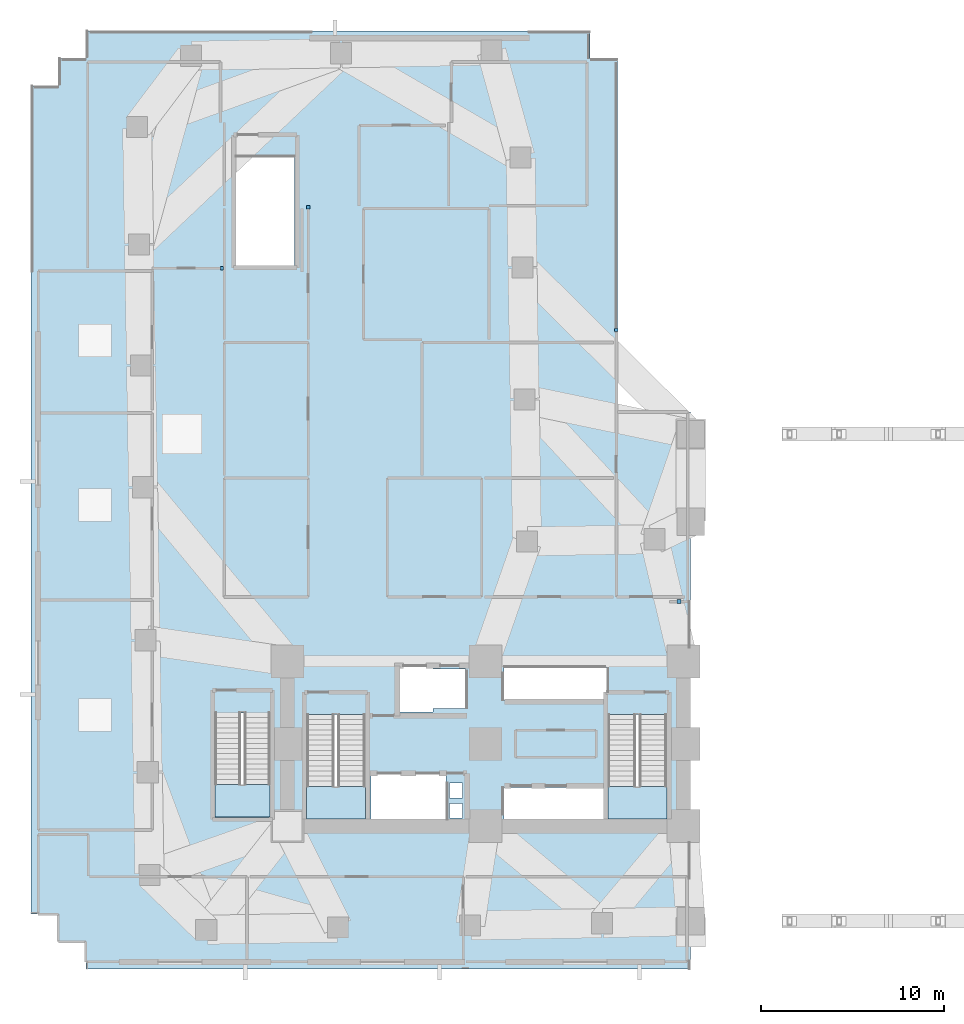
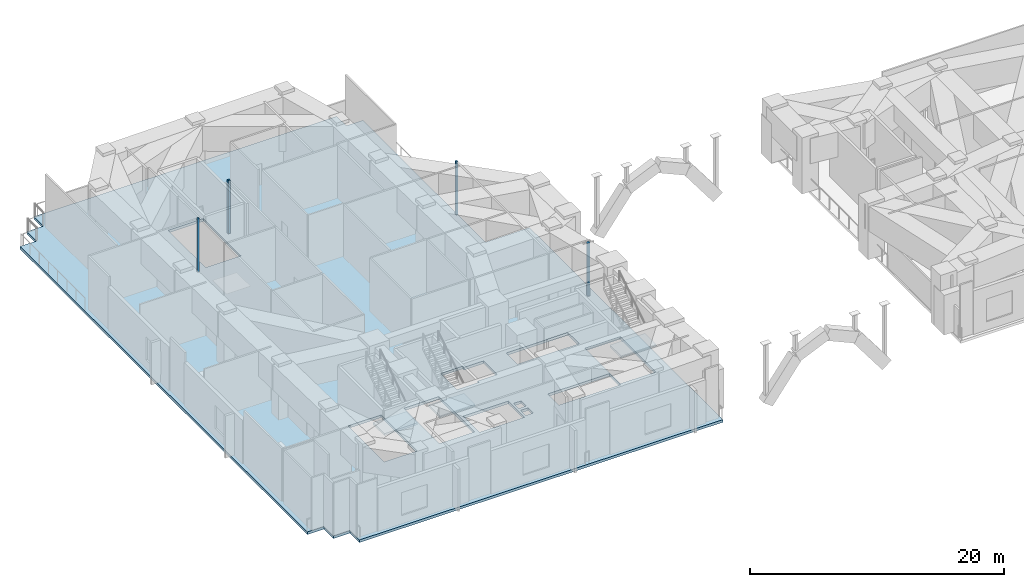
# One storey, part 5 of 15: 4 plates, 4 slabs, 3 elements without a shape of their own.
"""IFC4 building model written with IfcOpenShell, lengths in metres."""

from ifc_helpers import new_model, si_unit, direction, frame, origin, origin_2d, place, context, subcontext, project, spatial, polyline, rectangle, outline, extrude, material, layer, layer_set, type_object, element, aggregate, save


model = new_model("IFC4")

# Units and contexts
model_context = context("Model", 3, precision=1e-05, world=origin(), true_north=direction((0.0, 1.0)))
body_context = subcontext(model_context, "Body", "Model", "MODEL_VIEW")
ifc_project = project(units=[si_unit("LENGTHUNIT", "METRE"), si_unit("AREAUNIT", "SQUARE_METRE"), si_unit("VOLUMEUNIT", "CUBIC_METRE"), si_unit("PLANEANGLEUNIT", "RADIAN"), si_unit("MASSUNIT", "GRAM", prefix="KILO")], contexts=[model_context])

# Site, building, storey
site_placement = place(None, origin())
site = spatial("IfcSite", under=ifc_project, at=site_placement, CompositionType="ELEMENT")
building_placement = place(site_placement, origin())
building = spatial("IfcBuilding", under=site, at=building_placement, Name="Gaonmaruhae Medical Tower", CompositionType="ELEMENT")
storey_placement = place(building_placement, frame((0.0, 0.0, 21.60009765625)))
storey = spatial("IfcBuildingStorey", under=building, at=storey_placement, Name="L04", CompositionType="ELEMENT", Elevation=21.60009765625)

# Slab
ifc_material_1 = material(Name="Concrete C40/50", Category="concrete")
ifc_layer_1 = layer(ifc_material_1, 0.25)
ifc_layer_set_1 = layer_set([ifc_layer_1], Name="Concrete C40/50")
slab_type_1 = type_object("IfcSlabType", Name="FS-250 Podium & Basement Floor Slab", PredefinedType="FLOOR", material=ifc_layer_set_1)
slab_1_placement = place(storey_placement, frame((0.0, 0.0, -0.25)))
element("IfcSlab", 1, at=slab_1_placement, inside=storey, type_object=slab_type_1, Name="L04 Structural Slab 1", PredefinedType="FLOOR", context=body_context, shape_type="SweptSolid", body=[
    extrude(outline(polyline([(3.0, 0.0), (3.0, 1.5), (1.5, 1.5), (1.5, 3.0), (0.0, 3.0), (0.0, 48.199951171875), (1.5, 48.199951171875), (1.5, 49.699951171875), (3.0, 49.699951171875), (3.0, 51.199951171875), (30.5, 51.199951171875), (30.5, 49.699951171875), (32.0, 49.699951171875), (32.0, 30.39990234375), (36.0, 30.39990234375), (36.0, 0.0), (3.0, 0.0)]), holes=[polyline([(23.550048828125, 8.25), (22.85009765625, 8.25), (22.85009765625, 9.050048828125), (23.550048828125, 9.050048828125), (23.550048828125, 8.25)]), polyline([(22.64990234375, 10.625), (22.64990234375, 8.074951171875), (18.550048828125, 8.074951171875), (18.550048828125, 10.625), (22.64990234375, 10.625)]), polyline([(15.050048828125, 13.889892578125), (18.25, 13.889892578125), (18.25, 8.300048828125), (15.050048828125, 8.300048828125), (15.050048828125, 13.889892578125)]), polyline([(13.050048828125, 13.989990234375), (13.050048828125, 8.300048828125), (10.050048828125, 8.300048828125), (10.050048828125, 13.989990234375), (13.050048828125, 13.989990234375)]), polyline([(21.949951171875, 14.02490234375), (19.949951171875, 14.02490234375), (19.949951171875, 16.574951171875), (21.949951171875, 16.574951171875), (21.949951171875, 16.375), (23.72509765625, 16.375), (23.72509765625, 14.22509765625), (21.949951171875, 14.22509765625), (21.949951171875, 14.02490234375)]), polyline([(11.199951171875, 44.2900390625), (14.39990234375, 44.2900390625), (14.39990234375, 38.39990234375), (11.199951171875, 38.39990234375), (11.199951171875, 44.2900390625)]), polyline([(31.425048828125, 9.925048828125), (31.425048828125, 8.175048828125), (25.824951171875, 8.175048828125), (25.824951171875, 9.925048828125), (31.425048828125, 9.925048828125)]), polyline([(22.85009765625, 9.35009765625), (22.85009765625, 10.14990234375), (23.550048828125, 10.14990234375), (23.550048828125, 9.35009765625), (22.85009765625, 9.35009765625)]), polyline([(31.5, 13.889892578125), (34.699951171875, 13.889892578125), (34.699951171875, 8.300048828125), (31.5, 8.300048828125), (31.5, 13.889892578125)]), polyline([(31.425048828125, 16.425048828125), (31.425048828125, 14.675048828125), (25.824951171875, 14.675048828125), (25.824951171875, 16.425048828125), (31.425048828125, 16.425048828125)])]), origin(), (0.0, 0.0, 1.0), 0.25),
])

# Plates
ifc_material_2 = material(Name="Anodised aluminium 6063-T6", Category="aluminium")
ifc_layer_2 = layer(ifc_material_2, 0.011962890625)
ifc_layer_set_2 = layer_set([ifc_layer_2], Name="Anodised aluminium 6063-T6")
plate_type = type_object("IfcPlateType", Name="PP-01 Interior Partition Corner Stiffener Plate", PredefinedType="SHEET", material=ifc_layer_set_2)
for number, where, z_axis, x_axis, name in (
    (2, (15.139892578125, 41.580078125, -0.000244140625), (0.0, 0.0, 1.0), (0.0, -1.0, 0.0), "L04 Partition End Jamb Post Plate PLT-L04-ENDP-PW071-0"),
    (3, (10.429931640625, 38.25, -0.000244140625), (0.0, 0.0, 1.0), (-1.0, 0.0, 0.0), "L04 Partition End Jamb Post Plate PLT-L04-ENDP-PW087-0"),
    (4, (31.949951171875, 34.8798828125, -0.000244140625), (0.0, 0.0, 1.0), (0.0, 1.0, 0.0), "L04 Partition End Jamb Post Plate PLT-L04-ENDP-PW018-1"),
):
    element("IfcPlate", number, at=place(storey_placement, frame(where, z_axis=z_axis, x_axis=x_axis)), inside=storey, type_object=plate_type, Name=name, PredefinedType="SHEET", context=body_context, shape_type="SweptSolid", body=[
        extrude(rectangle(XDim=0.179931640625, YDim=0.179931640625, at=origin_2d()), origin(), (0.0, 0.0, 1.0), 5.10009765625),
    ])
plate_placement = place(storey_placement, frame((35.35498046875, 20.050048828125, -0.000244140625), z_axis=(0.0, 0.0, 1.0), x_axis=(-1.0, 0.0, 0.0)))
element("IfcPlate", 5, at=plate_placement, inside=storey, type_object=plate_type, Name="L04 Partition Corner Stiffener Plate PLT-L04-JGP-PW016", PredefinedType="SHEET", context=body_context, shape_type="SweptSolid", body=[
    extrude(rectangle(XDim=0.219970703125, YDim=0.219970703125, at=origin_2d()), origin(), (0.0, 0.0, 1.0), 5.10009765625),
])

# Stair, slab
stair_type_1 = type_object("IfcStairType", Name="ST-T1 Primary Core Escape Dogleg Stair", PredefinedType="TWO_QUARTER_TURN_STAIR", material=ifc_material_1)
stair_1_placement = place(storey_placement, origin())
stair_1 = element("IfcStair", 6, at=stair_1_placement, inside=storey, type_object=stair_type_1, Name="L04 Protected Escape Stair ST-01", PredefinedType="TWO_QUARTER_TURN_STAIR")
ifc_layer_3 = layer(ifc_material_1, 0.199951171875)
ifc_layer_set_3 = layer_set([ifc_layer_3], Name="Concrete C40/50")
slab_type_2 = type_object("IfcSlabType", Name="SL-200 Stair & Ramp Intermediate Concrete Landing", PredefinedType="LANDING", material=ifc_layer_set_3)
slab_2_placement = place(storey_placement, frame((0.0, 0.0, 2.5)))
slab_2 = element("IfcSlab", 7, at=slab_2_placement, type_object=slab_type_2, Name="ST-01 landing 1", PredefinedType="LANDING", context=body_context, shape_type="SweptSolid", body=[
    extrude(outline(polyline([(15.050048828125, 9.97998046875), (15.050048828125, 8.2041015625), (18.25, 8.2041015625), (18.25, 9.97998046875), (15.050048828125, 9.97998046875)])), origin(), (0.0, 0.0, 1.0), 0.199951171875),
])
aggregate(stair_1, [slab_2])

stair_2_placement = place(storey_placement, origin())
stair_2 = element("IfcStair", 8, at=stair_2_placement, inside=storey, type_object=stair_type_1, Name="L04 Protected Escape Stair ST-02", PredefinedType="TWO_QUARTER_TURN_STAIR")
slab_3_placement = place(storey_placement, frame((0.0, 0.0, 2.5)))
slab_3 = element("IfcSlab", 9, at=slab_3_placement, type_object=slab_type_2, Name="ST-02 landing 1", PredefinedType="LANDING", context=body_context, shape_type="SweptSolid", body=[
    extrude(outline(polyline([(31.5, 9.97998046875), (31.5, 8.2041015625), (34.699951171875, 8.2041015625), (34.699951171875, 9.97998046875), (31.5, 9.97998046875)])), origin(), (0.0, 0.0, 1.0), 0.199951171875),
])
aggregate(stair_2, [slab_3])

stair_type_2 = type_object("IfcStairType", Name="ST-T2 Zone 1 Escape Dogleg Stair", PredefinedType="TWO_QUARTER_TURN_STAIR", material=ifc_material_1)
stair_3_placement = place(storey_placement, origin())
stair_3 = element("IfcStair", 10, at=stair_3_placement, inside=storey, type_object=stair_type_2, Name="L04 Protected Escape Stair ST-03", PredefinedType="TWO_QUARTER_TURN_STAIR")
slab_4_placement = place(storey_placement, frame((0.0, 0.0, 2.5)))
slab_4 = element("IfcSlab", 11, at=slab_4_placement, type_object=slab_type_2, Name="ST-03 landing 1", PredefinedType="LANDING", context=body_context, shape_type="SweptSolid", body=[
    extrude(outline(polyline([(10.050048828125, 10.080078125), (10.050048828125, 8.300048828125), (13.050048828125, 8.300048828125), (13.050048828125, 10.080078125), (10.050048828125, 10.080078125)])), origin(), (0.0, 0.0, 1.0), 0.199951171875),
])
aggregate(stair_3, [slab_4])

save(model, "model.ifc")
